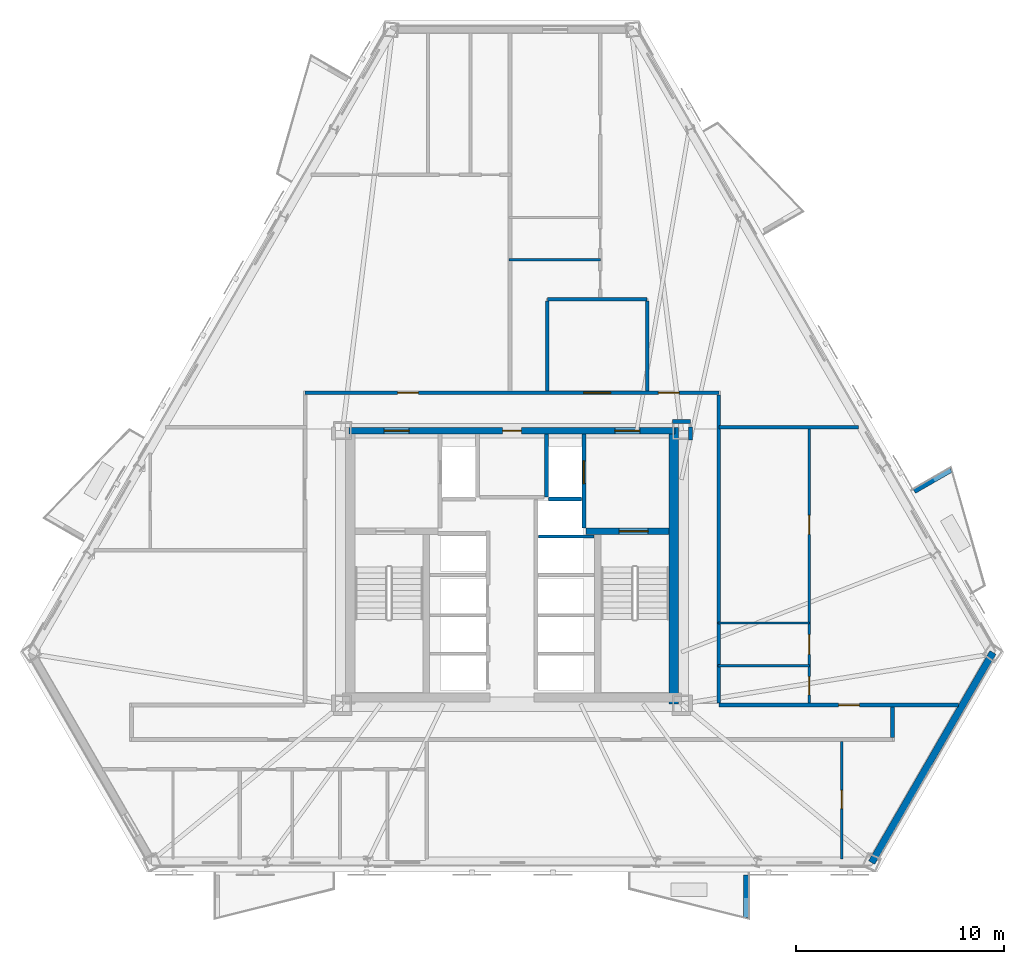
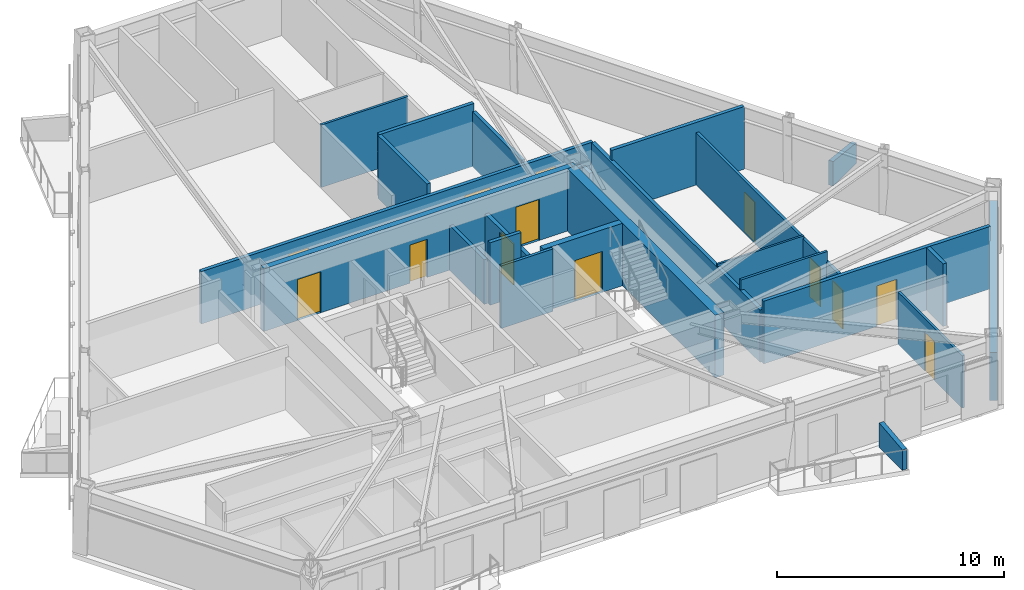
# One storey, part 4 of 9: 25 walls, 13 doors, 13 openings.
"""IFC4 building model written with IfcOpenShell, lengths in metres."""

from ifc_helpers import new_model, si_unit, direction, frame, frame_2d, origin, place, context, subcontext, project, spatial, polyline, rectangle, outline, extrude, material, layer, layer_set, type_object, element, fill, save


model = new_model("IFC4")

# Units and contexts
model_context = context("Model", 3, precision=1e-05, world=origin(), true_north=direction((0.0, 1.0)))
body_context = subcontext(model_context, "Body", "Model", "MODEL_VIEW")
ifc_project = project(units=[si_unit("LENGTHUNIT", "METRE"), si_unit("AREAUNIT", "SQUARE_METRE"), si_unit("VOLUMEUNIT", "CUBIC_METRE"), si_unit("PLANEANGLEUNIT", "RADIAN"), si_unit("MASSUNIT", "GRAM", prefix="KILO")], contexts=[model_context])

# Site, building, storey
site_placement = place(None, origin())
site = spatial("IfcSite", under=ifc_project, at=site_placement, CompositionType="ELEMENT")
building_placement = place(site_placement, origin())
building = spatial("IfcBuilding", under=site, at=building_placement, Name="Oramaril Tower", CompositionType="ELEMENT")
storey_placement = place(building_placement, frame((0.0, 0.0, 104.10009765625)))
storey = spatial("IfcBuildingStorey", under=building, at=storey_placement, Name="L27", CompositionType="ELEMENT", Elevation=104.10009765625)

# Walls
ifc_material_1 = material(Name="Warm Cream Limestone", Category="masonry")
ifc_layer_1 = layer(ifc_material_1, 0.340087890625)
ifc_layer_set_1 = layer_set([ifc_layer_1], Name="WT-EXT34")
wall_type_1 = type_object("IfcWallType", Name="WT-EXT34", PredefinedType="SOLIDWALL", material=ifc_layer_set_1)
wall_1_placement = place(storey_placement, frame((54.797607421875, 3.373291015625, 0.0), z_axis=(0.0, 0.0, 1.0), x_axis=(0.499998829152, 0.866026079773, 0.0)))
element("IfcWall", 1, at=wall_1_placement, inside=storey, type_object=wall_type_1, Name="L27 Tower Limestone Facade Wall 3M", PredefinedType="SOLIDWALL", context=body_context, shape_type="SweptSolid", body=[
    extrude(rectangle(XDim=11.673828125, YDim=0.340087890625, at=frame_2d((5.8369140625, 0.0))), origin(), (0.0, 0.0, 1.0), 2.577880859375),
])
ifc_material_2 = material(Name="Concrete C40/50", Category="concrete")
ifc_layer_2 = layer(ifc_material_2, 0.22998046875)
ifc_layer_set_2 = layer_set([ifc_layer_2], Name="WT-PRP23")
wall_type_2 = type_object("IfcWallType", Name="WT-PRP23", PredefinedType="PARAPET", material=ifc_layer_set_2)
for number, where, z_axis, x_axis, name in (
    (2, (48.75830078125, 2.775390625, 0.0), (0.0, 0.0, 1.0), (0.0, -1.0, 0.0), "L27 Trapezoidal Balcony Frame Cheek L27-BAL-S2-R"),
    (3, (56.850341796875, 21.233642578125, 0.0), (0.0, 0.0, 1.0), (0.866012356593, 0.500022597718, 0.0), "L27 Trapezoidal Balcony Frame Cheek L27-BAL-NE1-R"),
):
    element("IfcWall", number, at=place(storey_placement, frame(where, z_axis=z_axis, x_axis=x_axis)), inside=storey, type_object=wall_type_2, Name=name, PredefinedType="PARAPET", context=body_context, shape_type="SweptSolid", body=[
        extrude(outline(polyline([(0.0, 0.0), (2.0419921875, 0.0), (2.0419921875, 1.099853515625), (0.0, 1.31982421875), (0.0, 0.0)])), frame((0.0, 0.114990234375, 0.0), z_axis=(0.0, -1.0, 0.0), x_axis=(1.0, 0.0, 0.0)), (0.0, 0.0, 1.0), 0.22998046875),
    ])
ifc_material_3 = material(Name="Acoustic Gypsum Board Partition")
ifc_layer_3 = layer(ifc_material_3, 0.10009765625)
ifc_layer_set_3 = layer_set([ifc_layer_3], Name="WT-PT10")
wall_type_3 = type_object("IfcWallType", Name="WT-PT10", PredefinedType="PARTITIONING", material=ifc_layer_set_3)
wall_2_placement = place(storey_placement, frame((47.39990234375, 14.889892578125, 0.0), z_axis=(0.0, 0.0, 1.0), x_axis=(1.0, 0.0, 0.0)))
element("IfcWall", 4, at=wall_2_placement, inside=storey, type_object=wall_type_3, Name="L27 Interior Partition PT-10", PredefinedType="PARTITIONING", context=body_context, shape_type="SweptSolid", body=[
    extrude(rectangle(XDim=4.400146484375, YDim=0.10009765625, at=frame_2d((2.2001953125, 0.0))), origin(), (0.0, 0.0, 1.0), 2.94580078125),
])
ifc_material_4 = material(Name="Acoustic Gypsum Board Partition")
ifc_layer_4 = layer(ifc_material_4, 0.1201171875)
ifc_layer_set_4 = layer_set([ifc_layer_4], Name="WT-PT12")
wall_type_4 = type_object("IfcWallType", Name="WT-PT12", PredefinedType="PARTITIONING", material=ifc_layer_set_4)
wall_3_placement = place(storey_placement, frame((47.39990234375, 12.840087890625, 0.0), z_axis=(0.0, 0.0, 1.0), x_axis=(1.0, 0.0, 0.0)))
element("IfcWall", 5, at=wall_3_placement, inside=storey, type_object=wall_type_4, Name="L27 Interior Partition PT-12", PredefinedType="PARTITIONING", context=body_context, shape_type="SweptSolid", body=[
    extrude(rectangle(XDim=4.400146484375, YDim=0.1201171875, at=frame_2d((2.2001953125, 0.0))), origin(), (0.0, 0.0, 1.0), 3.35986328125),
])
wall_4_placement = place(storey_placement, frame((37.35009765625, 32.360107421875, 0.0), z_axis=(0.0, 0.0, 1.0), x_axis=(1.0, 0.0, 0.0)))
element("IfcWall", 6, at=wall_4_placement, inside=storey, type_object=wall_type_4, Name="L27 Interior Partition PT-12", PredefinedType="PARTITIONING", context=body_context, shape_type="SweptSolid", body=[
    extrude(rectangle(XDim=4.39990234375, YDim=0.1201171875, at=frame_2d((2.199951171875, 0.0))), origin(), (0.0, 0.0, 1.0), 3.35986328125),
])

# Wall, opening, door
wall_5_placement = place(storey_placement, frame((53.3701171875, 3.54736328125, 0.0), z_axis=(0.0, 0.0, 1.0), x_axis=(0.0, 1.0, 0.0)))
wall_5 = element("IfcWall", 7, at=wall_5_placement, inside=storey, type_object=wall_type_4, Name="L27 Interior Partition PT-12", PredefinedType="PARTITIONING", context=body_context, shape_type="SweptSolid", body=[
    extrude(rectangle(XDim=5.65869140625, YDim=0.1201171875, at=frame_2d((2.829345703125, 0.0))), origin(), (0.0, 0.0, 1.0), 2.81396484375),
])
opening_1_placement = place(wall_5_placement, frame((2.42431640625, 0.0, 0.0)))
opening_1 = element("IfcOpeningElement", 8, at=opening_1_placement, cuts=wall_5, Name="Opening D-L27-24", PredefinedType="OPENING", context=body_context, shape_type="SweptSolid", body=[
    extrude(rectangle(XDim=0.8798828125, YDim=2.080078125, at=frame_2d((0.43994140625, 1.0400390625))), frame((0.0, 0.06005859375, 0.0), z_axis=(0.0, -1.0, 0.0), x_axis=(1.0, 0.0, 0.0)), (0.0, 0.0, 1.0), 0.1201171875),
])
ifc_material_5 = material(Name="FSC Brazilian Freijo Hardwood", Category="wood")
door_type_1 = type_object("IfcDoorType", Name="DT-BATH", OperationType="NOTDEFINED", PredefinedType="DOOR", material=ifc_material_5)
door_1_placement = place(opening_1_placement, origin())
door_1 = element("IfcDoor", 9, at=door_1_placement, inside=storey, type_object=door_type_1, Name="L27 Flat L27-U1 Bathroom Door D-L27-24", OperationType="SINGLE_SWING_RIGHT", OverallHeight=2.080078125, OverallWidth=0.8798828125, PredefinedType="DOOR", context=body_context, shape_type="SweptSolid", body=[
    extrude(rectangle(XDim=0.8798828125, YDim=2.080078125, at=frame_2d((0.43994140625, 1.0400390625))), frame((0.0, 0.02490234375, 0.0), z_axis=(0.0, -1.0, 0.0), x_axis=(1.0, 0.0, 0.0)), (0.0, 0.0, 1.0), 0.050048828125),
])
fill(opening_1, door_1)

# Wall
ifc_material_6 = material(Name="Acoustic Gypsum Board Partition")
ifc_layer_5 = layer(ifc_material_6, 0.139892578125)
ifc_layer_set_5 = layer_set([ifc_layer_5], Name="WT-PT14")
wall_type_5 = type_object("IfcWallType", Name="WT-PT14", PredefinedType="PARTITIONING", material=ifc_layer_set_5)
wall_6_placement = place(storey_placement, frame((38.780029296875, 19.050048828125, 0.0), z_axis=(0.0, 0.0, 1.0), x_axis=(1.0, 0.0, 0.0)))
element("IfcWall", 10, at=wall_6_placement, inside=storey, type_object=wall_type_5, Name="L27 East Lift Divider", PredefinedType="PARTITIONING", context=body_context, shape_type="SweptSolid", body=[
    extrude(rectangle(XDim=2.659912109375, YDim=0.139892578125, at=frame_2d((1.330078125, 0.0))), origin(), (0.0, 0.0, 1.0), 3.35986328125),
])

# Wall, openings, doors
wall_7_placement = place(storey_placement, frame((51.800048828125, 11.0439453125, 0.0), z_axis=(0.0, 0.0, 1.0), x_axis=(0.0, 1.0, 0.0)))
wall_7 = element("IfcWall", 11, at=wall_7_placement, inside=storey, type_object=wall_type_5, Name="L27 Interior Partition PT-14", PredefinedType="PARTITIONING", context=body_context, shape_type="SweptSolid", body=[
    extrude(rectangle(XDim=13.18212890625, YDim=0.139892578125, at=frame_2d((6.591064453125, 0.0))), origin(), (0.0, 0.0, 1.0), 2.81396484375),
])
opening_2_placement = place(wall_7_placement, frame((0.39599609375, 0.0, 0.0)))
opening_2 = element("IfcOpeningElement", 12, at=opening_2_placement, cuts=wall_7, Name="Opening D-L27-21", PredefinedType="OPENING", context=body_context, shape_type="SweptSolid", body=[
    extrude(rectangle(XDim=0.8798828125, YDim=2.080078125, at=frame_2d((0.43994140625, 1.0400390625))), frame((0.0, 0.06982421875, 0.0), z_axis=(0.0, -1.0, 0.0), x_axis=(1.0, 0.0, 0.0)), (0.0, 0.0, 1.0), 0.139892578125),
])
opening_3_placement = place(wall_7_placement, frame((2.345947265625, 0.0, 0.0)))
opening_3 = element("IfcOpeningElement", 13, at=opening_3_placement, cuts=wall_7, Name="Opening D-L27-22", PredefinedType="OPENING", context=body_context, shape_type="SweptSolid", body=[
    extrude(rectangle(XDim=0.949951171875, YDim=2.10009765625, at=frame_2d((0.47509765625, 1.050048828125))), frame((0.0, 0.06982421875, 0.0), z_axis=(0.0, -1.0, 0.0), x_axis=(1.0, 0.0, 0.0)), (0.0, 0.0, 1.0), 0.139892578125),
])
opening_4_placement = place(wall_7_placement, frame((8.115966796875, 0.0, 0.0)))
opening_4 = element("IfcOpeningElement", 14, at=opening_4_placement, cuts=wall_7, Name="Opening D-L27-23", PredefinedType="OPENING", context=body_context, shape_type="SweptSolid", body=[
    extrude(rectangle(XDim=0.919921875, YDim=2.1201171875, at=frame_2d((0.4599609375, 1.06005859375))), frame((0.0, 0.06982421875, 0.0), z_axis=(0.0, -1.0, 0.0), x_axis=(1.0, 0.0, 0.0)), (0.0, 0.0, 1.0), 0.139892578125),
])
door_2_placement = place(opening_2_placement, origin())
door_2 = element("IfcDoor", 15, at=door_2_placement, inside=storey, type_object=door_type_1, Name="L27 Flat L27-U4 Bathroom Door D-L27-21", OperationType="SINGLE_SWING_LEFT", OverallHeight=2.080078125, OverallWidth=0.8798828125, PredefinedType="DOOR", context=body_context, shape_type="SweptSolid", body=[
    extrude(rectangle(XDim=0.8798828125, YDim=2.080078125, at=frame_2d((0.43994140625, 1.0400390625))), frame((0.0, 0.02490234375, 0.0), z_axis=(0.0, -1.0, 0.0), x_axis=(1.0, 0.0, 0.0)), (0.0, 0.0, 1.0), 0.050048828125),
])
fill(opening_2, door_2)
ifc_material_7 = material(Name="FSC Brazilian Freijo Hardwood", Category="wood")
door_type_2 = type_object("IfcDoorType", Name="DT-BED", OperationType="NOTDEFINED", PredefinedType="DOOR", material=ifc_material_7)
door_3_placement = place(opening_4_placement, origin())
door_3 = element("IfcDoor", 16, at=door_3_placement, inside=storey, type_object=door_type_2, Name="L27 Flat L27-U4 Master Bedroom Door D-L27-23", OperationType="SINGLE_SWING_LEFT", OverallHeight=2.1201171875, OverallWidth=0.919921875, PredefinedType="DOOR", context=body_context, shape_type="SweptSolid", body=[
    extrude(rectangle(XDim=0.919921875, YDim=2.1201171875, at=frame_2d((0.4599609375, 1.06005859375))), frame((0.0, 0.02490234375, 0.0), z_axis=(0.0, -1.0, 0.0), x_axis=(1.0, 0.0, 0.0)), (0.0, 0.0, 1.0), 0.050048828125),
])
fill(opening_4, door_3)
ifc_material_8 = material(Name="FSC Brazilian Freijo Hardwood", Category="wood")
door_type_3 = type_object("IfcDoorType", Name="DT-STDY", OperationType="NOTDEFINED", PredefinedType="DOOR", material=ifc_material_8)
door_4_placement = place(opening_3_placement, origin())
door_4 = element("IfcDoor", 17, at=door_4_placement, inside=storey, type_object=door_type_3, Name="L27 Flat L27-U4 Kitchen Door D-L27-22", OperationType="SINGLE_SWING_RIGHT", OverallHeight=2.10009765625, OverallWidth=0.949951171875, PredefinedType="DOOR", context=body_context, shape_type="SweptSolid", body=[
    extrude(rectangle(XDim=0.949951171875, YDim=2.10009765625, at=frame_2d((0.47509765625, 1.050048828125))), frame((0.0, 0.02490234375, 0.0), z_axis=(0.0, -1.0, 0.0), x_axis=(1.0, 0.0, 0.0)), (0.0, 0.0, 1.0), 0.050048828125),
])
fill(opening_3, door_4)

# Walls
ifc_material_9 = material(Name="Autoclaved Cellular Concrete Block", Category="concrete")
ifc_layer_6 = layer(ifc_material_9, 0.179931640625)
ifc_layer_set_6 = layer_set([ifc_layer_6], Name="WT-PT18")
wall_type_6 = type_object("IfcWallType", Name="WT-PT18", PredefinedType="PARTITIONING", material=ifc_layer_set_6)
wall_8_placement = place(storey_placement, frame((39.159912109375, 20.9599609375, 0.0), z_axis=(0.0, 0.0, 1.0), x_axis=(0.0, 1.0, 0.0)))
element("IfcWall", 18, at=wall_8_placement, inside=storey, type_object=wall_type_6, Name="L27 FL-2 West Shaft Wall", PredefinedType="PARTITIONING", context=body_context, shape_type="SweptSolid", body=[
    extrude(rectangle(XDim=3.02001953125, YDim=0.179931640625, at=frame_2d((1.510009765625, 0.0))), origin(), (0.0, 0.0, 1.0), 2.39990234375),
])
wall_9_placement = place(storey_placement, frame((39.260009765625, 20.860107421875, 0.0), z_axis=(0.0, 0.0, 1.0), x_axis=(1.0, 0.0, 0.0)))
element("IfcWall", 19, at=wall_9_placement, inside=storey, type_object=wall_type_6, Name="L27 FL-2 South Shaft Wall", PredefinedType="PARTITIONING", context=body_context, shape_type="SweptSolid", body=[
    extrude(rectangle(XDim=1.580078125, YDim=0.179931640625, at=frame_2d((0.7900390625, 0.0))), origin(), (0.0, 0.0, 1.0), 3.35986328125),
])

# Wall, opening, door
wall_10_placement = place(storey_placement, frame((47.449951171875, 10.949951171875, 0.0), z_axis=(0.0, 0.0, 1.0), x_axis=(1.0, 0.0, 0.0)))
wall_10 = element("IfcWall", 20, at=wall_10_placement, inside=storey, type_object=wall_type_6, Name="L27 Interior Partition PT-18", PredefinedType="PARTITIONING", context=body_context, shape_type="SweptSolid", body=[
    extrude(rectangle(XDim=11.521240234375, YDim=0.179931640625, at=frame_2d((5.7607421875, 0.0))), origin(), (0.0, 0.0, 1.0), 3.35986328125),
])
opening_5_placement = place(wall_10_placement, frame((5.75634765625, 0.0, 0.0)))
opening_5 = element("IfcOpeningElement", 21, at=opening_5_placement, cuts=wall_10, Name="Opening D-L27-09", PredefinedType="OPENING", context=body_context, shape_type="SweptSolid", body=[
    extrude(rectangle(XDim=1.0, YDim=2.179931640625, at=frame_2d((0.5, 1.08984375))), frame((0.0, 0.08984375, 0.0), z_axis=(0.0, -1.0, 0.0), x_axis=(1.0, 0.0, 0.0)), (0.0, 0.0, 1.0), 0.179931640625),
])
ifc_material_10 = material(Name="FSC Brazilian Freijo Hardwood", Category="wood")
door_type_4 = type_object("IfcDoorType", Name="DT-APT", OperationType="NOTDEFINED", PredefinedType="DOOR", material=ifc_material_10)
door_5_placement = place(opening_5_placement, origin())
door_5 = element("IfcDoor", 22, at=door_5_placement, inside=storey, type_object=door_type_4, Name="L27 Flat L27-U4 Penthouse Living and Dining Room Door D-L27-09", OperationType="SINGLE_SWING_LEFT", OverallHeight=2.179931640625, OverallWidth=1.0, PredefinedType="DOOR", context=body_context, shape_type="SweptSolid", body=[
    extrude(rectangle(XDim=1.0, YDim=2.179931640625, at=frame_2d((0.5, 1.08984375))), frame((0.0, 0.02490234375, 0.0), z_axis=(0.0, -1.0, 0.0), x_axis=(1.0, 0.0, 0.0)), (0.0, 0.0, 1.0), 0.050048828125),
])
fill(opening_5, door_5)

# Walls
wall_11_placement = place(storey_placement, frame((47.449951171875, 24.320068359375, 0.0), z_axis=(0.0, 0.0, 1.0), x_axis=(1.0, 0.0, 0.0)))
element("IfcWall", 23, at=wall_11_placement, inside=storey, type_object=wall_type_6, Name="L27 Interior Partition PT-18", PredefinedType="PARTITIONING", context=body_context, shape_type="SweptSolid", body=[
    extrude(rectangle(XDim=6.72705078125, YDim=0.179931640625, at=frame_2d((3.363525390625, 0.0))), origin(), (0.0, 0.0, 1.0), 3.35986328125),
])
wall_12_placement = place(storey_placement, frame((45.2099609375, 24.590087890625, 0.0), z_axis=(0.0, 0.0, 1.0), x_axis=(1.0, 0.0, 0.0)))
element("IfcWall", 24, at=wall_12_placement, inside=storey, type_object=wall_type_6, Name="L27 Interior Partition PT-18", PredefinedType="PARTITIONING", context=body_context, shape_type="SweptSolid", body=[
    extrude(rectangle(XDim=0.880126953125, YDim=0.179931640625, at=frame_2d((0.43994140625, 0.0))), origin(), (0.0, 0.0, 1.0), 2.81396484375),
])

# Wall, openings, doors
wall_13_placement = place(storey_placement, frame((27.550048828125, 25.969970703125, 0.0), z_axis=(0.0, 0.0, 1.0), x_axis=(1.0, 0.0, 0.0)))
wall_13 = element("IfcWall", 25, at=wall_13_placement, inside=storey, type_object=wall_type_6, Name="L27 Interior Partition PT-18", PredefinedType="PARTITIONING", context=body_context, shape_type="SweptSolid", body=[
    extrude(rectangle(XDim=19.89990234375, YDim=0.179931640625, at=frame_2d((9.949951171875, 0.0))), origin(), (0.0, 0.0, 1.0), 2.81396484375),
])
opening_6_placement = place(wall_13_placement, frame((4.446044921875, 0.0, 0.0)))
opening_6 = element("IfcOpeningElement", 26, at=opening_6_placement, cuts=wall_13, Name="Opening D-L27-10", PredefinedType="OPENING", context=body_context, shape_type="SweptSolid", body=[
    extrude(rectangle(XDim=1.0, YDim=2.179931640625, at=frame_2d((0.5, 1.08984375))), frame((0.0, 0.08984375, 0.0), z_axis=(0.0, -1.0, 0.0), x_axis=(1.0, 0.0, 0.0)), (0.0, 0.0, 1.0), 0.179931640625),
])
opening_7_placement = place(wall_13_placement, frame((13.39990234375, 0.0, 0.0)))
opening_7 = element("IfcOpeningElement", 27, at=opening_7_placement, cuts=wall_13, Name="Opening D-L27-11", PredefinedType="OPENING", context=body_context, shape_type="SweptSolid", body=[
    extrude(rectangle(XDim=1.300048828125, YDim=2.199951171875, at=frame_2d((0.64990234375, 1.10009765625))), frame((0.0, 0.08984375, 0.0), z_axis=(0.0, -1.0, 0.0), x_axis=(1.0, 0.0, 0.0)), (0.0, 0.0, 1.0), 0.179931640625),
])
opening_8_placement = place(wall_13_placement, frame((16.990478515625, 0.0, 0.0)))
opening_8 = element("IfcOpeningElement", 28, at=opening_8_placement, cuts=wall_13, Name="Opening D-L27-12", PredefinedType="OPENING", context=body_context, shape_type="SweptSolid", body=[
    extrude(rectangle(XDim=1.0, YDim=2.179931640625, at=frame_2d((0.5, 1.08984375))), frame((0.0, 0.08984375, 0.0), z_axis=(0.0, -1.0, 0.0), x_axis=(1.0, 0.0, 0.0)), (0.0, 0.0, 1.0), 0.179931640625),
])
door_6_placement = place(opening_6_placement, origin())
door_6 = element("IfcDoor", 29, at=door_6_placement, inside=storey, type_object=door_type_4, Name="L27 Flat L27-U5 Penthouse Living and Dining Room Door D-L27-10", OperationType="SINGLE_SWING_RIGHT", OverallHeight=2.179931640625, OverallWidth=1.0, PredefinedType="DOOR", context=body_context, shape_type="SweptSolid", body=[
    extrude(rectangle(XDim=1.0, YDim=2.179931640625, at=frame_2d((0.5, 1.08984375))), frame((0.0, 0.02490234375, 0.0), z_axis=(0.0, -1.0, 0.0), x_axis=(1.0, 0.0, 0.0)), (0.0, 0.0, 1.0), 0.050048828125),
])
fill(opening_6, door_6)
door_7_placement = place(opening_8_placement, origin())
door_7 = element("IfcDoor", 30, at=door_7_placement, inside=storey, type_object=door_type_4, Name="L27 Flat L27-U6 Penthouse Living and Dining Room Door D-L27-12", OperationType="SINGLE_SWING_RIGHT", OverallHeight=2.179931640625, OverallWidth=1.0, PredefinedType="DOOR", context=body_context, shape_type="SweptSolid", body=[
    extrude(rectangle(XDim=1.0, YDim=2.179931640625, at=frame_2d((0.5, 1.08984375))), frame((0.0, 0.02490234375, 0.0), z_axis=(0.0, -1.0, 0.0), x_axis=(1.0, 0.0, 0.0)), (0.0, 0.0, 1.0), 0.050048828125),
])
fill(opening_8, door_7)
ifc_material_11 = material(Name="FSC Brazilian Freijo Hardwood", Category="wood")
door_type_5 = type_object("IfcDoorType", Name="DT-COM", OperationType="NOTDEFINED", PredefinedType="DOOR", material=ifc_material_11)
door_8_placement = place(opening_7_placement, origin())
door_8 = element("IfcDoor", 31, at=door_8_placement, inside=storey, type_object=door_type_5, Name="L27 L27 Residents Reading Library Door D-L27-11", OperationType="SINGLE_SWING_LEFT", OverallHeight=2.199951171875, OverallWidth=1.300048828125, PredefinedType="DOOR", context=body_context, shape_type="SweptSolid", body=[
    extrude(rectangle(XDim=1.300048828125, YDim=2.199951171875, at=frame_2d((0.64990234375, 1.10009765625))), frame((0.0, 0.02490234375, 0.0), z_axis=(0.0, -1.0, 0.0), x_axis=(1.0, 0.0, 0.0)), (0.0, 0.0, 1.0), 0.050048828125),
])
fill(opening_7, door_8)

# Walls
wall_14_placement = place(storey_placement, frame((39.199951171875, 30.469970703125, 0.0), z_axis=(0.0, 0.0, 1.0), x_axis=(1.0, 0.0, 0.0)))
element("IfcWall", 32, at=wall_14_placement, inside=storey, type_object=wall_type_6, Name="L27 Interior Partition PT-18", PredefinedType="PARTITIONING", context=body_context, shape_type="SweptSolid", body=[
    extrude(rectangle(XDim=4.800048828125, YDim=0.179931640625, at=frame_2d((2.39990234375, 0.0))), origin(), (0.0, 0.0, 1.0), 3.35986328125),
])
wall_15_placement = place(storey_placement, frame((39.199951171875, 26.06396484375, 0.0), z_axis=(0.0, 0.0, 1.0), x_axis=(0.0, 1.0, 0.0)))
element("IfcWall", 33, at=wall_15_placement, inside=storey, type_object=wall_type_6, Name="L27 Interior Partition PT-18", PredefinedType="PARTITIONING", context=body_context, shape_type="SweptSolid", body=[
    extrude(rectangle(XDim=4.31201171875, YDim=0.179931640625, at=frame_2d((2.156005859375, 0.0))), origin(), (0.0, 0.0, 1.0), 3.35986328125),
])
wall_16_placement = place(storey_placement, frame((44.0, 26.06396484375, 0.0), z_axis=(0.0, 0.0, 1.0), x_axis=(0.0, 1.0, 0.0)))
element("IfcWall", 34, at=wall_16_placement, inside=storey, type_object=wall_type_6, Name="L27 Interior Partition PT-18", PredefinedType="PARTITIONING", context=body_context, shape_type="SweptSolid", body=[
    extrude(rectangle(XDim=4.31201171875, YDim=0.179931640625, at=frame_2d((2.156005859375, 0.0))), origin(), (0.0, 0.0, 1.0), 2.94580078125),
])
wall_17_placement = place(storey_placement, frame((46.090087890625, 23.705078125, 0.0), z_axis=(0.0, 0.0, 1.0), x_axis=(0.0, 1.0, 0.0)))
element("IfcWall", 35, at=wall_17_placement, inside=storey, type_object=wall_type_6, Name="L27 Interior Partition PT-18", PredefinedType="PARTITIONING", context=body_context, shape_type="SweptSolid", body=[
    extrude(rectangle(XDim=0.614990234375, YDim=0.179931640625, at=frame_2d((0.3076171875, 0.0))), origin(), (0.0, 0.0, 1.0), 2.94580078125),
])
wall_18_placement = place(storey_placement, frame((47.449951171875, 11.0439453125, 0.0), z_axis=(0.0, 0.0, 1.0), x_axis=(0.0, 1.0, 0.0)))
element("IfcWall", 36, at=wall_18_placement, inside=storey, type_object=wall_type_6, Name="L27 Interior Partition PT-18", PredefinedType="PARTITIONING", context=body_context, shape_type="SweptSolid", body=[
    extrude(rectangle(XDim=14.83203125, YDim=0.179931640625, at=frame_2d((7.416015625, 0.0))), origin(), (0.0, 0.0, 1.0), 2.81396484375),
])
wall_19_placement = place(storey_placement, frame((55.800048828125, 9.39404296875, 0.0), z_axis=(0.0, 0.0, 1.0), x_axis=(0.0, 1.0, 0.0)))
element("IfcWall", 37, at=wall_19_placement, inside=storey, type_object=wall_type_6, Name="L27 Interior Partition PT-18", PredefinedType="PARTITIONING", context=body_context, shape_type="SweptSolid", body=[
    extrude(rectangle(XDim=1.4619140625, YDim=0.179931640625, at=frame_2d((0.73095703125, 0.0))), origin(), (0.0, 0.0, 1.0), 3.35986328125),
])

# Wall, openings, doors
ifc_material_12 = material(Name="Concrete C50/60", Category="concrete")
ifc_layer_7 = layer(ifc_material_12, 0.300048828125)
ifc_layer_set_7 = layer_set([ifc_layer_7], Name="WT-SH30")
wall_type_7 = type_object("IfcWallType", Name="WT-SH30", PredefinedType="SHEAR", material=ifc_layer_set_7)
wall_20_placement = place(storey_placement, frame((29.64990234375, 24.14990234375, 0.0), z_axis=(0.0, 0.0, 1.0), x_axis=(1.0, 0.0, 0.0)))
wall_20 = element("IfcWall", 38, at=wall_20_placement, inside=storey, type_object=wall_type_7, Name="L27 Core Shear Wall CW-N", PredefinedType="SHEAR", context=body_context, shape_type="SweptSolid", body=[
    extrude(rectangle(XDim=15.7001953125, YDim=0.300048828125, at=frame_2d((7.85009765625, 0.0))), origin(), (0.0, 0.0, 1.0), 3.35986328125),
])
opening_9_placement = place(wall_20_placement, frame((1.699951171875, 0.0, 0.0)))
opening_9 = element("IfcOpeningElement", 39, at=opening_9_placement, cuts=wall_20, Name="Opening D-L27-FFL1", PredefinedType="OPENING", context=body_context, shape_type="SweptSolid", body=[
    extrude(rectangle(XDim=1.199951171875, YDim=2.199951171875, at=frame_2d((0.60009765625, 1.10009765625))), frame((0.0, 0.14990234375, 0.0), z_axis=(0.0, -1.0, 0.0), x_axis=(1.0, 0.0, 0.0)), (0.0, 0.0, 1.0), 0.300048828125),
])
opening_10_placement = place(wall_20_placement, frame((12.800048828125, 0.0, 0.0)))
opening_10 = element("IfcOpeningElement", 40, at=opening_10_placement, cuts=wall_20, Name="Opening D-L27-FFL2", PredefinedType="OPENING", context=body_context, shape_type="SweptSolid", body=[
    extrude(rectangle(XDim=1.199951171875, YDim=2.199951171875, at=frame_2d((0.60009765625, 1.10009765625))), frame((0.0, 0.14990234375, 0.0), z_axis=(0.0, -1.0, 0.0), x_axis=(1.0, 0.0, 0.0)), (0.0, 0.0, 1.0), 0.300048828125),
])
opening_11_placement = place(wall_20_placement, frame((7.39990234375, 0.0, 0.0)))
opening_11 = element("IfcOpeningElement", 41, at=opening_11_placement, cuts=wall_20, Name="Opening D-L27-SV1", PredefinedType="OPENING", context=body_context, shape_type="SweptSolid", body=[
    extrude(rectangle(XDim=0.89990234375, YDim=2.050048828125, at=frame_2d((0.449951171875, 1.02490234375))), frame((0.0, 0.14990234375, 0.0), z_axis=(0.0, -1.0, 0.0), x_axis=(1.0, 0.0, 0.0)), (0.0, 0.0, 1.0), 0.300048828125),
])
ifc_material_13 = material(Name="Painted Galvanised Steel", Category="steel")
door_type_6 = type_object("IfcDoorType", Name="DT-FFL", OperationType="NOTDEFINED", PredefinedType="DOOR", material=ifc_material_13)
door_9_placement = place(opening_9_placement, origin())
door_9 = element("IfcDoor", 42, at=door_9_placement, inside=storey, type_object=door_type_6, Name="L27 Firefighting Lobby 1 Fire Door", OperationType="SINGLE_SWING_LEFT", OverallHeight=2.199951171875, OverallWidth=1.199951171875, PredefinedType="DOOR", context=body_context, shape_type="SweptSolid", body=[
    extrude(rectangle(XDim=1.199951171875, YDim=2.199951171875, at=frame_2d((0.60009765625, 1.10009765625))), frame((0.0, 0.02490234375, 0.0), z_axis=(0.0, -1.0, 0.0), x_axis=(1.0, 0.0, 0.0)), (0.0, 0.0, 1.0), 0.050048828125),
])
fill(opening_9, door_9)
door_10_placement = place(opening_10_placement, origin())
door_10 = element("IfcDoor", 43, at=door_10_placement, inside=storey, type_object=door_type_6, Name="L27 Firefighting Lobby 2 Fire Door", OperationType="SINGLE_SWING_RIGHT", OverallHeight=2.199951171875, OverallWidth=1.199951171875, PredefinedType="DOOR", context=body_context, shape_type="SweptSolid", body=[
    extrude(rectangle(XDim=1.199951171875, YDim=2.199951171875, at=frame_2d((0.60009765625, 1.10009765625))), frame((0.0, 0.02490234375, 0.0), z_axis=(0.0, -1.0, 0.0), x_axis=(1.0, 0.0, 0.0)), (0.0, 0.0, 1.0), 0.050048828125),
])
fill(opening_10, door_10)
ifc_material_14 = material(Name="Painted Galvanised Steel", Category="steel")
door_type_7 = type_object("IfcDoorType", Name="DT-SVC", OperationType="NOTDEFINED", PredefinedType="DOOR", material=ifc_material_14)
door_11_placement = place(opening_11_placement, origin())
door_11 = element("IfcDoor", 44, at=door_11_placement, inside=storey, type_object=door_type_7, Name="L27 Core Janitor Store Door", OperationType="SINGLE_SWING_LEFT", OverallHeight=2.050048828125, OverallWidth=0.89990234375, PredefinedType="DOOR", context=body_context, shape_type="SweptSolid", body=[
    extrude(rectangle(XDim=0.89990234375, YDim=2.050048828125, at=frame_2d((0.449951171875, 1.02490234375))), frame((0.0, 0.02490234375, 0.0), z_axis=(0.0, -1.0, 0.0), x_axis=(1.0, 0.0, 0.0)), (0.0, 0.0, 1.0), 0.050048828125),
])
fill(opening_11, door_11)

# Wall, opening, door
wall_21_placement = place(storey_placement, frame((41.050048828125, 19.31005859375, 0.0), z_axis=(0.0, 0.0, 1.0), x_axis=(1.0, 0.0, 0.0)))
wall_21 = element("IfcWall", 45, at=wall_21_placement, inside=storey, type_object=wall_type_7, Name="L27 Core Shear Wall CW-ST2N", PredefinedType="SHEAR", context=body_context, shape_type="SweptSolid", body=[
    extrude(rectangle(XDim=4.010009765625, YDim=0.300048828125, at=frame_2d((2.0048828125, 0.0))), origin(), (0.0, 0.0, 1.0), 3.35986328125),
])
opening_12_placement = place(wall_21_placement, frame((1.60009765625, 0.0, 0.0)))
opening_12 = element("IfcOpeningElement", 46, at=opening_12_placement, cuts=wall_21, Name="Opening D-L27-ST2", PredefinedType="OPENING", context=body_context, shape_type="SweptSolid", body=[
    extrude(rectangle(XDim=1.39990234375, YDim=2.199951171875, at=frame_2d((0.699951171875, 1.10009765625))), frame((0.0, 0.14990234375, 0.0), z_axis=(0.0, -1.0, 0.0), x_axis=(1.0, 0.0, 0.0)), (0.0, 0.0, 1.0), 0.300048828125),
])
ifc_material_15 = material(Name="Painted Galvanised Steel", Category="steel")
door_type_8 = type_object("IfcDoorType", Name="DT-ST", OperationType="NOTDEFINED", PredefinedType="DOOR", material=ifc_material_15)
door_12_placement = place(opening_12_placement, origin())
door_12 = element("IfcDoor", 47, at=door_12_placement, inside=storey, type_object=door_type_8, Name="L27 Protected Stair ST-2 Fire Door", OperationType="SINGLE_SWING_RIGHT", OverallHeight=2.199951171875, OverallWidth=1.39990234375, PredefinedType="DOOR", context=body_context, shape_type="SweptSolid", body=[
    extrude(rectangle(XDim=1.39990234375, YDim=2.199951171875, at=frame_2d((0.699951171875, 1.10009765625))), frame((0.0, 0.02490234375, 0.0), z_axis=(0.0, -1.0, 0.0), x_axis=(1.0, 0.0, 0.0)), (0.0, 0.0, 1.0), 0.050048828125),
])
fill(opening_12, door_12)

# Wall
ifc_material_16 = material(Name="Concrete C50/60", Category="concrete")
ifc_layer_8 = layer(ifc_material_16, 0.449951171875)
ifc_layer_set_8 = layer_set([ifc_layer_8], Name="WT-SH45")
wall_type_8 = type_object("IfcWallType", Name="WT-SH45", PredefinedType="SHEAR", material=ifc_layer_set_8)
wall_22_placement = place(storey_placement, frame((45.284912109375, 11.0, 0.0), z_axis=(0.0, 0.0, 1.0), x_axis=(0.0, 1.0, 0.0)))
element("IfcWall", 48, at=wall_22_placement, inside=storey, type_object=wall_type_8, Name="L27 Core Shear Wall CW-E", PredefinedType="SHEAR", context=body_context, shape_type="SweptSolid", body=[
    extrude(rectangle(XDim=13.300048828125, YDim=0.449951171875, at=frame_2d((6.64990234375, 0.0))), origin(), (0.0, 0.0, 1.0), 3.35986328125),
])

# Wall, opening, door
ifc_material_17 = material(Name="Autoclaved Cellular Concrete Block", Category="concrete")
ifc_layer_9 = layer(ifc_material_17, 0.199951171875)
ifc_layer_set_9 = layer_set([ifc_layer_9], Name="WT-SHF20")
wall_type_9 = type_object("IfcWallType", Name="WT-SHF20", PredefinedType="PARTITIONING", material=ifc_layer_set_9)
wall_23_placement = place(storey_placement, frame((40.9599609375, 19.47998046875, 0.0), z_axis=(0.0, 0.0, 1.0), x_axis=(0.0, 1.0, 0.0)))
wall_23 = element("IfcWall", 49, at=wall_23_placement, inside=storey, type_object=wall_type_9, Name="L27 FL-2 Lobby Shaft Wall", PredefinedType="PARTITIONING", context=body_context, shape_type="SweptSolid", body=[
    extrude(rectangle(XDim=4.5, YDim=0.199951171875, at=frame_2d((2.25, 0.0))), origin(), (0.0, 0.0, 1.0), 2.39990234375),
])
opening_13_placement = place(wall_23_placement, frame((2.1201171875, 0.0, 0.0)))
opening_13 = element("IfcOpeningElement", 50, at=opening_13_placement, cuts=wall_23, Name="Opening LD-L27-FL-2", PredefinedType="OPENING", context=body_context, shape_type="SweptSolid", body=[
    extrude(rectangle(XDim=1.10009765625, YDim=2.199951171875, at=frame_2d((0.550048828125, 1.10009765625))), frame((0.0, 0.10009765625, 0.0), z_axis=(0.0, -1.0, 0.0), x_axis=(1.0, 0.0, 0.0)), (0.0, 0.0, 1.0), 0.199951171875),
])
ifc_material_18 = material(Name="Stainless Steel 316L", Category="steel")
door_type_9 = type_object("IfcDoorType", Name="DT-LD1", OperationType="NOTDEFINED", PredefinedType="DOOR", material=ifc_material_18)
door_13_placement = place(opening_13_placement, origin())
door_13 = element("IfcDoor", 51, at=door_13_placement, inside=storey, type_object=door_type_9, Name="L27 Lift FL-2 Sliding Landing Door", OperationType="SLIDING_TO_RIGHT", OverallHeight=2.199951171875, OverallWidth=1.10009765625, PredefinedType="DOOR", context=body_context, shape_type="SweptSolid", body=[
    extrude(rectangle(XDim=1.10009765625, YDim=2.199951171875, at=frame_2d((0.550048828125, 1.10009765625))), frame((0.0, 0.02490234375, 0.0), z_axis=(0.0, -1.0, 0.0), x_axis=(1.0, 0.0, 0.0)), (0.0, 0.0, 1.0), 0.050048828125),
])
fill(opening_13, door_13)

save(model, "model.ifc")
